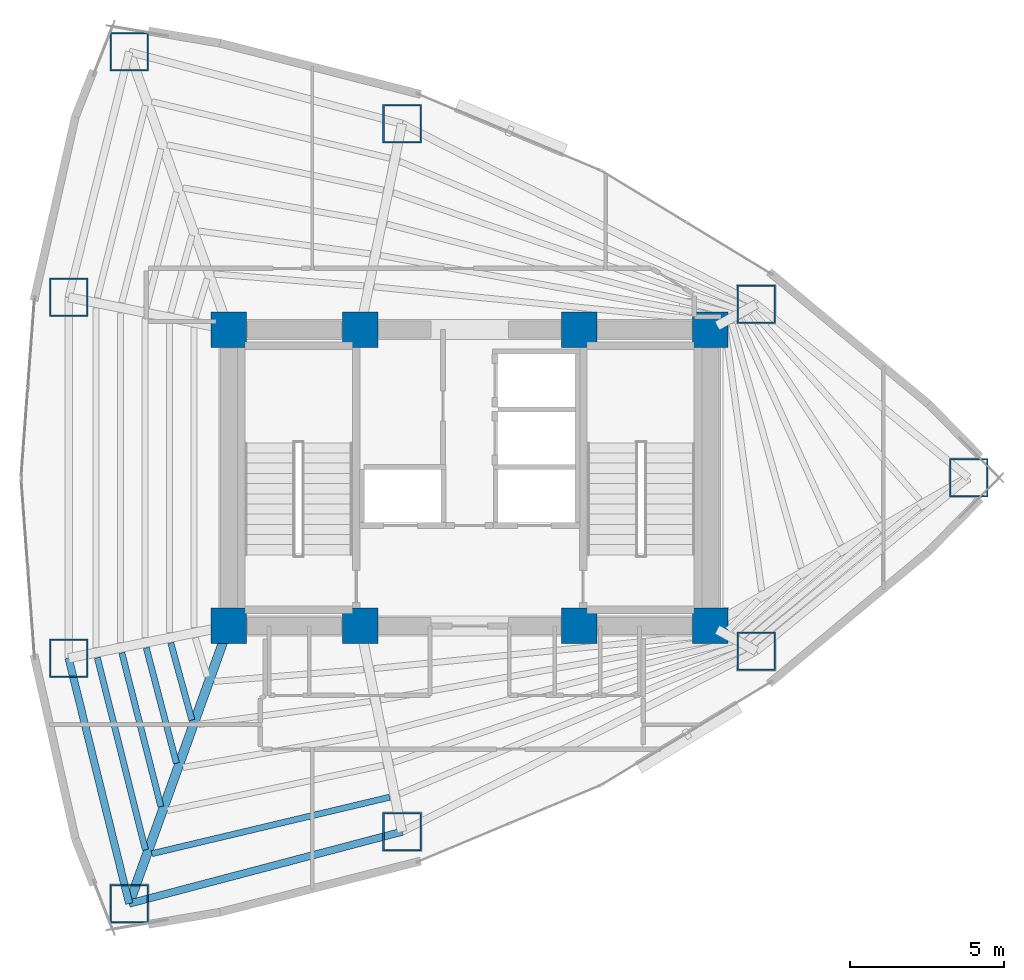
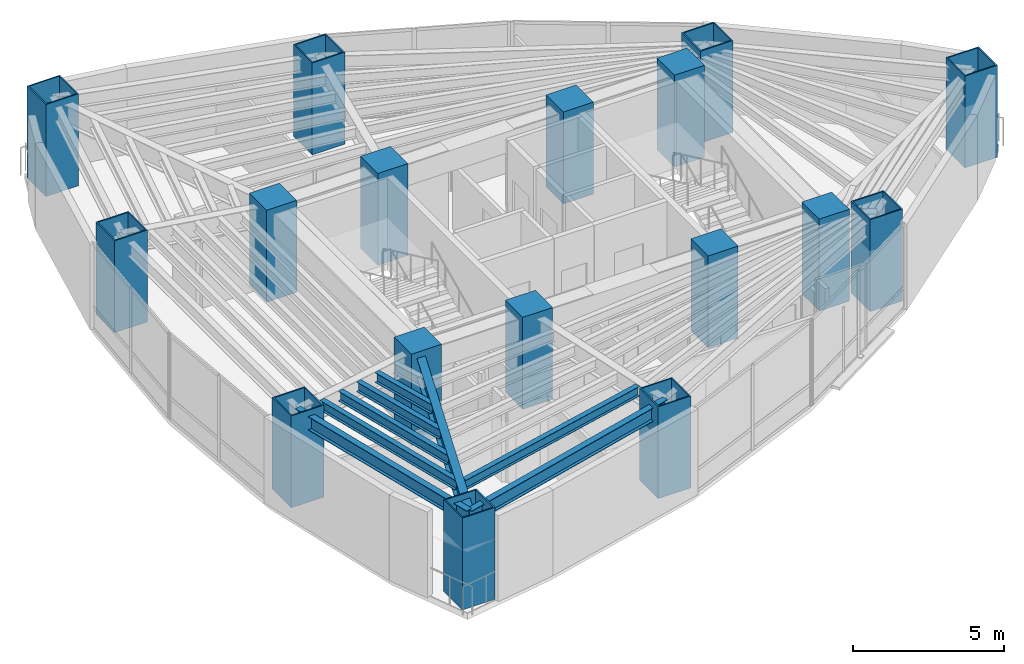
# One storey, part 1 of 18: 17 columns, 8 beams.
"""IFC4 building model written with IfcOpenShell, lengths in metres."""

import ifcopenshell
import ifcopenshell.guid

model = None  # the IFC model being written
_history = None  # IfcOwnerHistory: only IFC2X3 demands one
_inside = {}  # id of a spatial element -> (the spatial element, [elements in it])
_under = {}  # id of a project, library or spatial element -> (it, [spatial elements below it])
_declared = {}  # id of a project -> (the project, [libraries it declares])
_typed = {}  # id of a type object -> (the type object, [elements of that type])
_made_of = {}  # id of a material, layer set ... -> (it, [elements and type objects made of it])


def new_model(schema):
    """Start an empty IFC model of exactly this schema.

    Asked for "IFC4X3", IfcOpenShell would pick the latest addendum, in which some entities
    have other attributes; the version numbers below select the first issue.
    IFC2X3 requires an IfcOwnerHistory on every rooted entity: one is made here for all.
    """
    global model, _history
    if schema == "IFC4X3":
        model = ifcopenshell.file(schema_version=(4, 3, 0, 0))
    else:
        model = ifcopenshell.file(schema=schema)
    _inside.clear()
    _under.clear()
    _declared.clear()
    _typed.clear()
    _made_of.clear()
    _history = None
    if model.schema == "IFC2X3":
        org = make("IfcOrganization", Name="unknown")
        user = make(
            "IfcPersonAndOrganization",
            ThePerson=make("IfcPerson", FamilyName="unknown"),
            TheOrganization=org,
        )
        app = make(
            "IfcApplication",
            ApplicationDeveloper=org,
            Version="unknown",
            ApplicationFullName="unknown",
            ApplicationIdentifier="unknown",
        )
        _history = make(
            "IfcOwnerHistory",
            OwningUser=user,
            OwningApplication=app,
            ChangeAction="ADDED",
            CreationDate=0,
        )
    return model


def make(cls, **values):
    """One entity of the class cls with the attributes given. An attribute that is None is left unset."""
    return model.create_entity(
        cls, **{name: value for name, value in values.items() if value is not None}
    )


def rooted(cls, **values):
    """An entity with a GlobalId (a new one), such as an element, a storey or a relation."""
    return make(cls, GlobalId=ifcopenshell.guid.new(), OwnerHistory=_history, **values)


def si_unit(unit_type, name, prefix=None):
    """IfcSIUnit, for example si_unit("LENGTHUNIT", "METRE", prefix="MILLI")."""
    return make("IfcSIUnit", UnitType=unit_type, Prefix=prefix, Name=name)


def assignment(units):
    """IfcUnitAssignment: the units of a project."""
    return None if units is None else make("IfcUnitAssignment", Units=units)


def point(xyz):
    """IfcCartesianPoint."""
    return None if xyz is None else make("IfcCartesianPoint", Coordinates=xyz)


def direction(xyz):
    """IfcDirection."""
    return None if xyz is None else make("IfcDirection", DirectionRatios=xyz)


def frame(location, z_axis=None, x_axis=None):
    """IfcAxis2Placement3D, a coordinate frame: its origin and axes. An axis left out is left unset."""
    return make(
        "IfcAxis2Placement3D",
        Location=point(location),
        Axis=direction(z_axis),
        RefDirection=direction(x_axis),
    )


def frame_2d(location, x_axis=None):
    """IfcAxis2Placement2D, a coordinate frame in the plane: its origin and x axis."""
    return make(
        "IfcAxis2Placement2D", Location=point(location), RefDirection=direction(x_axis)
    )


def origin():
    """The frame at (0, 0, 0) with its axes left unset."""
    return frame((0.0, 0.0, 0.0))


def origin_2d():
    """The frame at (0, 0) in the plane with its x axis left unset."""
    return frame_2d((0.0, 0.0))


def place(relative_to, where):
    """IfcLocalPlacement: puts the frame where relative to a parent placement (None: the world)."""
    return make(
        "IfcLocalPlacement", PlacementRelTo=relative_to, RelativePlacement=where
    )


def context(
    kind, dimensions, precision=None, world=None, true_north=None, identifier=None
):
    """IfcGeometricRepresentationContext, for example the 3D "Model" context."""
    return make(
        "IfcGeometricRepresentationContext",
        ContextIdentifier=identifier,
        ContextType=kind,
        CoordinateSpaceDimension=dimensions,
        Precision=precision,
        WorldCoordinateSystem=world,
        TrueNorth=true_north,
    )


def subcontext(parent, identifier, kind, view, scale=None):
    """IfcGeometricRepresentationSubContext, for example "Body" below "Model"."""
    return make(
        "IfcGeometricRepresentationSubContext",
        ContextIdentifier=identifier,
        ContextType=kind,
        ParentContext=parent,
        TargetScale=scale,
        TargetView=view,
    )


def project(units=None, contexts=None):
    """IfcProject with its units and contexts."""
    return rooted(
        "IfcProject",
        Name="project",
        RepresentationContexts=contexts,
        UnitsInContext=assignment(units),
    )


def spatial(cls, under=None, at=None, **own):
    """A site, building, storey or space (cls), placed at a placement, below another one or the project."""
    s = rooted(cls, ObjectPlacement=at, **own)
    if under is not None:
        _under.setdefault(under.id(), (under, []))[1].append(s)
    return s


def profile(cls, at=None, kind="AREA", **sizes):
    """A parametric profile (cls). Its sizes go by their IFC names, for example OverallWidth=200.0."""
    return make(cls, ProfileType=kind, Position=at, **sizes)


def rectangle(**sizes):
    """IfcRectangleProfileDef."""
    return profile("IfcRectangleProfileDef", **sizes)


def hollow_rectangle(**sizes):
    """IfcRectangleHollowProfileDef."""
    return profile("IfcRectangleHollowProfileDef", **sizes)


def i_section(**sizes):
    """IfcIShapeProfileDef."""
    return profile("IfcIShapeProfileDef", **sizes)


def extrude(swept, where, along, depth):
    """IfcExtrudedAreaSolid: the profile swept, set in the frame where, extruded along a direction by depth."""
    return make(
        "IfcExtrudedAreaSolid",
        SweptArea=swept,
        Position=where,
        ExtrudedDirection=direction(along),
        Depth=depth,
    )


def shape(context_of_items, identifier, shape_type, items):
    """IfcShapeRepresentation: the items that make up one representation, for example the "Body"."""
    return make(
        "IfcShapeRepresentation",
        ContextOfItems=context_of_items,
        RepresentationIdentifier=identifier,
        RepresentationType=shape_type,
        Items=items,
    )


def material(Name=None, Category=None):
    """IfcMaterial."""
    return make("IfcMaterial", Name=Name, Category=Category)


def material_profile(
    of_material, cross_section, Name=None, Category=None, Priority=None
):
    """IfcMaterialProfile: a cross section and its material."""
    return make(
        "IfcMaterialProfile",
        Name=Name,
        Material=of_material,
        Profile=cross_section,
        Priority=Priority,
        Category=Category,
    )


def profile_set(profiles, Name=None, composite=None):
    """IfcMaterialProfileSet."""
    return make(
        "IfcMaterialProfileSet",
        Name=Name,
        MaterialProfiles=profiles,
        CompositeProfile=composite,
    )


def made_of(thing, what):
    """Note that an element or type object is made of a material, layer set ...; save() writes the relation."""
    if what is not None:
        _made_of.setdefault(what.id(), (what, []))[1].append(thing)
    return thing


def type_object(cls, material=None, **own):
    """A type object (cls), such as IfcWallType, which elements share."""
    return made_of(rooted(cls, **own), material)


def element(
    cls,
    number,
    at=None,
    inside=None,
    cuts=None,
    type_object=None,
    material=None,
    context=None,
    identifier="Body",
    shape_type=None,
    held_by="IfcProductDefinitionShape",
    body=None,
    shapes=None,
    **own,
):
    """One element of the class cls, such as IfcWall. Its Tag is "e" and its number.

    at: its placement. inside: the storey or other place that contains it. cuts: it is an
    opening in that element (IfcRelVoidsElement). A single representation is given by context,
    identifier, shape_type and body (its items); several are given by shapes. held_by: the class
    of the entity that holds the representations. save() writes the other relations.
    """
    e = rooted(cls, Tag="e%d" % number, ObjectPlacement=at, **own)
    if body is not None:
        shapes = [shape(context, identifier, shape_type, body)]
    if shapes is not None:
        e.Representation = make(held_by, Representations=shapes)
    if inside is not None:
        _inside.setdefault(inside.id(), (inside, []))[1].append(e)
    if cuts is not None:
        rooted(
            "IfcRelVoidsElement", RelatingBuildingElement=cuts, RelatedOpeningElement=e
        )
    if type_object is not None:
        _typed.setdefault(type_object.id(), (type_object, []))[1].append(e)
    return made_of(e, material)


def aggregate(whole, parts):
    """IfcRelAggregates: a whole, such as a stair, and the parts it consists of."""
    return rooted("IfcRelAggregates", RelatingObject=whole, RelatedObjects=parts)


def save(model, path):
    """Write the relations noted so far, then the file.

    IfcRelAggregates (storeys below a building ...), IfcRelContainedInSpatialStructure (elements
    in a storey), IfcRelDefinesByType, IfcRelAssociatesMaterial and IfcRelDeclares: one each for
    every whole, place, type object, material and project.
    """
    for whole, parts in _under.values():
        aggregate(whole, parts)
    for where, things in _inside.values():
        rooted(
            "IfcRelContainedInSpatialStructure",
            RelatedElements=things,
            RelatingStructure=where,
        )
    for kind, things in _typed.values():
        rooted("IfcRelDefinesByType", RelatedObjects=things, RelatingType=kind)
    for what, things in _made_of.values():
        rooted("IfcRelAssociatesMaterial", RelatedObjects=things, RelatingMaterial=what)
    for by, libraries in _declared.values():
        rooted("IfcRelDeclares", RelatingContext=by, RelatedDefinitions=libraries)
    model.write(path)


model = new_model("IFC4")

# Units and contexts
model_context = context("Model", 3, precision=1e-05, world=origin(), true_north=direction((0.0, 1.0)))
body_context = subcontext(model_context, "Body", "Model", "MODEL_VIEW")
ifc_project = project(units=[si_unit("LENGTHUNIT", "METRE"), si_unit("AREAUNIT", "SQUARE_METRE"), si_unit("VOLUMEUNIT", "CUBIC_METRE"), si_unit("PLANEANGLEUNIT", "RADIAN"), si_unit("MASSUNIT", "GRAM", prefix="KILO")], contexts=[model_context])

# Site, building, storey
site_placement = place(None, origin())
site = spatial("IfcSite", under=ifc_project, at=site_placement, CompositionType="ELEMENT")
building_placement = place(site_placement, origin())
building = spatial("IfcBuilding", under=site, at=building_placement, Name="Menara Vayukalpa", CompositionType="ELEMENT")
storey_placement = place(building_placement, frame((0.0, 0.0, 126.300048828125)))
storey = spatial("IfcBuildingStorey", under=building, at=storey_placement, Name="L31", CompositionType="ELEMENT", Elevation=126.300048828125)

# Columns
ifc_material_1 = material(Name="Concrete C80/95", Category="concrete")
ifc_material_profile_1 = material_profile(ifc_material_1, rectangle(XDim=1.14990234375, YDim=1.14990234375, at=origin_2d()), Name="RC 1150x1150")
ifc_profile_set_1 = profile_set([ifc_material_profile_1], Name="Concrete C80/95")
column_type_1 = type_object("IfcColumnType", Name="COL-CC1", PredefinedType="COLUMN", material=ifc_profile_set_1)
for number, where, z_axis, x_axis, name in (
    (1, (17.800048828125, 17.199951171875, 0.0), (0.0, 0.0, 1.0), (1.0, 0.0, 0.0), "L31 Core Pilaster Column CC1"),
    (2, (22.050048828125, 17.199951171875, 0.0), (0.0, 0.0, 1.0), (1.0, 0.0, 0.0), "L31 Core Pilaster Column CC2"),
    (3, (29.14990234375, 17.199951171875, 0.0), (0.0, 0.0, 1.0), (1.0, 0.0, 0.0), "L31 Core Pilaster Column CC3"),
    (4, (33.39990234375, 17.199951171875, 0.0), (0.0, 0.0, 1.0), (1.0, 0.0, 0.0), "L31 Core Pilaster Column CC4"),
    (5, (17.800048828125, 26.800048828125, 0.0), (0.0, 0.0, 1.0), (1.0, 0.0, 0.0), "L31 Core Pilaster Column CC5"),
    (6, (22.050048828125, 26.800048828125, 0.0), (0.0, 0.0, 1.0), (1.0, 0.0, 0.0), "L31 Core Pilaster Column CC6"),
    (7, (29.14990234375, 26.800048828125, 0.0), (0.0, 0.0, 1.0), (1.0, 0.0, 0.0), "L31 Core Pilaster Column CC7"),
    (8, (33.39990234375, 26.800048828125, 0.0), (0.0, 0.0, 1.0), (1.0, 0.0, 0.0), "L31 Core Pilaster Column CC8"),
):
    element("IfcColumn", number, at=place(storey_placement, frame(where, z_axis=z_axis, x_axis=x_axis)), inside=storey, type_object=column_type_1, Name=name, PredefinedType="COLUMN", context=body_context, shape_type="SweptSolid", body=[
        extrude(rectangle(XDim=1.14990234375, YDim=1.14990234375, at=origin_2d()), origin(), (0.0, 0.0, 1.0), 3.719970703125),
    ])
ifc_material_2 = material(Name="Steel S460", Category="steel")
ifc_material_profile_2 = material_profile(ifc_material_2, hollow_rectangle(XDim=1.25, YDim=1.25, WallThickness=0.050048828125, at=origin_2d()), Name="BOX 1250x1250x50")
ifc_profile_set_2 = profile_set([ifc_material_profile_2], Name="Steel S460")
column_type_2 = type_object("IfcColumnType", Name="COL-MC2", PredefinedType="COLUMN", material=ifc_profile_set_2)
for number, where, z_axis, x_axis, name in (
    (9, (41.761962890625, 22.0, 0.0), (0.0, 0.0, 1.0), (1.0, 0.0, 0.0), "L31 Perimeter Mega Column P01"),
    (10, (34.88671875, 27.62158203125, 0.0), (0.0, 0.0, 1.0), (1.0, 0.0, 0.0), "L31 Perimeter Mega Column P02"),
    (11, (23.408203125, 33.46728515625, 0.0), (0.0, 0.0, 1.0), (1.0, 0.0, 0.0), "L31 Perimeter Mega Column P03"),
    (12, (14.569091796875, 35.79736328125, 0.0), (0.0, 0.0, 1.0), (1.0, 0.0, 0.0), "L31 Perimeter Mega Column P04"),
    (13, (12.606689453125, 27.845703125, 0.0), (0.0, 0.0, 1.0), (1.0, 0.0, 0.0), "L31 Perimeter Mega Column P05"),
    (14, (12.606689453125, 16.154296875, 0.0), (0.0, 0.0, 1.0), (1.0, 0.0, 0.0), "L31 Perimeter Mega Column P06"),
    (15, (14.569091796875, 8.20263671875, 0.0), (0.0, 0.0, 1.0), (1.0, 0.0, 0.0), "L31 Perimeter Mega Column P07"),
    (16, (23.408203125, 10.53271484375, 0.0), (0.0, 0.0, 1.0), (1.0, 0.0, 0.0), "L31 Perimeter Mega Column P08"),
    (17, (34.88671875, 16.37841796875, 0.0), (0.0, 0.0, 1.0), (1.0, 0.0, 0.0), "L31 Perimeter Mega Column P09"),
):
    element("IfcColumn", number, at=place(storey_placement, frame(where, z_axis=z_axis, x_axis=x_axis)), inside=storey, type_object=column_type_2, Name=name, PredefinedType="COLUMN", context=body_context, shape_type="SweptSolid", body=[
        extrude(hollow_rectangle(XDim=1.25, YDim=1.25, WallThickness=0.050048828125, at=origin_2d()), origin(), (0.0, 0.0, 1.0), 3.719970703125),
    ])

# Beams
ifc_material_3 = material(Name="Steel S355", Category="steel")
ifc_material_profile_3 = material_profile(ifc_material_3, i_section(OverallWidth=0.300048828125, OverallDepth=0.800048828125, WebThickness=0.013916015625, FlangeThickness=0.02587890625, at=origin_2d()), Name="WF 800x300x14x26")
ifc_profile_set_3 = profile_set([ifc_material_profile_3], Name="Steel S355")
beam_type_1 = type_object("IfcBeamType", Name="BM-PG3", PredefinedType="BEAM", material=ifc_profile_set_3)
beam_1_placement = place(storey_placement, frame((17.715576171875, 16.964599609375, 3.070068359375), z_axis=(-0.337975542909, -0.941154892882, 0.0), x_axis=(0.941154892882, -0.337975542909, 0.0)))
element("IfcBeam", 18, at=beam_1_placement, inside=storey, type_object=beam_type_1, Name="L31 Primary Radial Girder RG07", PredefinedType="BEAM", context=body_context, shape_type="SweptSolid", body=[
    extrude(i_section(OverallWidth=0.300048828125, OverallDepth=0.800048828125, WebThickness=0.013916015625, FlangeThickness=0.02587890625, at=origin_2d()), origin(), (0.0, 0.0, 1.0), 9.309814453125),
])
ifc_material_4 = material(Name="Steel S355", Category="steel")
ifc_material_profile_4 = material_profile(ifc_material_4, i_section(OverallWidth=0.199951171875, OverallDepth=0.39990234375, WebThickness=0.008056640625, FlangeThickness=0.012939453125, at=origin_2d()), Name="WF 400x200x8x13")
ifc_profile_set_4 = profile_set([ifc_material_profile_4], Name="Steel S355")
beam_type_2 = type_object("IfcBeamType", Name="BM-SJ2", PredefinedType="JOIST", material=ifc_profile_set_4)
beam_2_placement = place(storey_placement, frame((15.917236328125, 16.64794921875, 3.27001953125), z_axis=(0.263922858843, -0.964543790908, 0.0), x_axis=(0.964543790908, 0.263922858843, 0.0)))
element("IfcBeam", 19, at=beam_2_placement, inside=storey, type_object=beam_type_2, Name="L31 Secondary Floor Joist SJ06-2", PredefinedType="JOIST", context=body_context, shape_type="SweptSolid", body=[
    extrude(i_section(OverallWidth=0.199951171875, OverallDepth=0.39990234375, WebThickness=0.008056640625, FlangeThickness=0.012939453125, at=origin_2d()), origin(), (0.0, 0.0, 1.0), 2.590087890625),
])
beam_3_placement = place(storey_placement, frame((15.123779296875, 16.488037109375, 3.27001953125), z_axis=(0.252406469257, -0.967621296933, 0.0), x_axis=(0.967621296933, 0.252406469257, 0.0)))
element("IfcBeam", 20, at=beam_3_placement, inside=storey, type_object=beam_type_2, Name="L31 Secondary Floor Joist SJ06-3", PredefinedType="JOIST", context=body_context, shape_type="SweptSolid", body=[
    extrude(i_section(OverallWidth=0.199951171875, OverallDepth=0.39990234375, WebThickness=0.008056640625, FlangeThickness=0.012939453125, at=origin_2d()), origin(), (0.0, 0.0, 1.0), 3.865234375),
])
beam_4_placement = place(storey_placement, frame((14.330810546875, 16.328369140625, 3.27001953125), z_axis=(0.246311066692, -0.969190826631, 0.0), x_axis=(0.969190826631, 0.246311066692, 0.0)))
element("IfcBeam", 21, at=beam_4_placement, inside=storey, type_object=beam_type_2, Name="L31 Secondary Floor Joist SJ06-4", PredefinedType="JOIST", context=body_context, shape_type="SweptSolid", body=[
    extrude(i_section(OverallWidth=0.199951171875, OverallDepth=0.39990234375, WebThickness=0.008056640625, FlangeThickness=0.012939453125, at=origin_2d()), origin(), (0.0, 0.0, 1.0), 5.140380859375),
])
beam_5_placement = place(storey_placement, frame((13.53857421875, 16.168701171875, 3.27001953125), z_axis=(0.242481900969, -0.970155929582, 0.0), x_axis=(0.970155929582, 0.242481900969, 0.0)))
element("IfcBeam", 22, at=beam_5_placement, inside=storey, type_object=beam_type_2, Name="L31 Secondary Floor Joist SJ06-5", PredefinedType="JOIST", context=body_context, shape_type="SweptSolid", body=[
    extrude(i_section(OverallWidth=0.199951171875, OverallDepth=0.39990234375, WebThickness=0.008056640625, FlangeThickness=0.012939453125, at=origin_2d()), origin(), (0.0, 0.0, 1.0), 6.41552734375),
])
beam_6_placement = place(storey_placement, frame((15.30078125, 9.819091796875, 3.27001953125), z_axis=(0.97293603101, 0.231074619036, 0.0), x_axis=(-0.231074619036, 0.97293603101, 0.0)))
element("IfcBeam", 23, at=beam_6_placement, inside=storey, type_object=beam_type_2, Name="L31 Secondary Floor Joist SJ07-5", PredefinedType="JOIST", context=body_context, shape_type="SweptSolid", body=[
    extrude(i_section(OverallWidth=0.199951171875, OverallDepth=0.39990234375, WebThickness=0.008056640625, FlangeThickness=0.012939453125, at=origin_2d()), origin(), (0.0, 0.0, 1.0), 7.9208984375),
])
ifc_material_5 = material(Name="Steel S355", Category="steel")
ifc_material_profile_5 = material_profile(ifc_material_5, i_section(OverallWidth=0.239990234375, OverallDepth=0.550048828125, WebThickness=0.010986328125, FlangeThickness=0.01904296875, at=origin_2d()), Name="WF 550x240x11x19")
ifc_profile_set_5 = profile_set([ifc_material_profile_5], Name="Steel S355")
beam_type_3 = type_object("IfcBeamType", Name="BM-SP2", PredefinedType="SPANDREL", material=ifc_profile_set_5)
beam_7_placement = place(storey_placement, frame((12.606689453125, 16.154296875, 3.195068359375), z_axis=(0.239602739234, -0.970871014786, 0.0), x_axis=(0.970871014786, 0.239602739234, 0.0)))
element("IfcBeam", 24, at=beam_7_placement, inside=storey, type_object=beam_type_3, Name="L31 Perimeter Spandrel Beam SP06", PredefinedType="SPANDREL", context=body_context, shape_type="SweptSolid", body=[
    extrude(i_section(OverallWidth=0.239990234375, OverallDepth=0.550048828125, WebThickness=0.010986328125, FlangeThickness=0.01904296875, at=origin_2d()), origin(), (0.0, 0.0, 1.0), 8.190185546875),
])
beam_8_placement = place(storey_placement, frame((14.569091796875, 8.20263671875, 3.195068359375), z_axis=(0.966966857313, 0.254902131921, 0.0), x_axis=(-0.254902131921, 0.966966857313, 0.0)))
element("IfcBeam", 25, at=beam_8_placement, inside=storey, type_object=beam_type_3, Name="L31 Perimeter Spandrel Beam SP07", PredefinedType="SPANDREL", context=body_context, shape_type="SweptSolid", body=[
    extrude(i_section(OverallWidth=0.239990234375, OverallDepth=0.550048828125, WebThickness=0.010986328125, FlangeThickness=0.01904296875, at=origin_2d()), origin(), (0.0, 0.0, 1.0), 9.14111328125),
])

save(model, "model.ifc")
